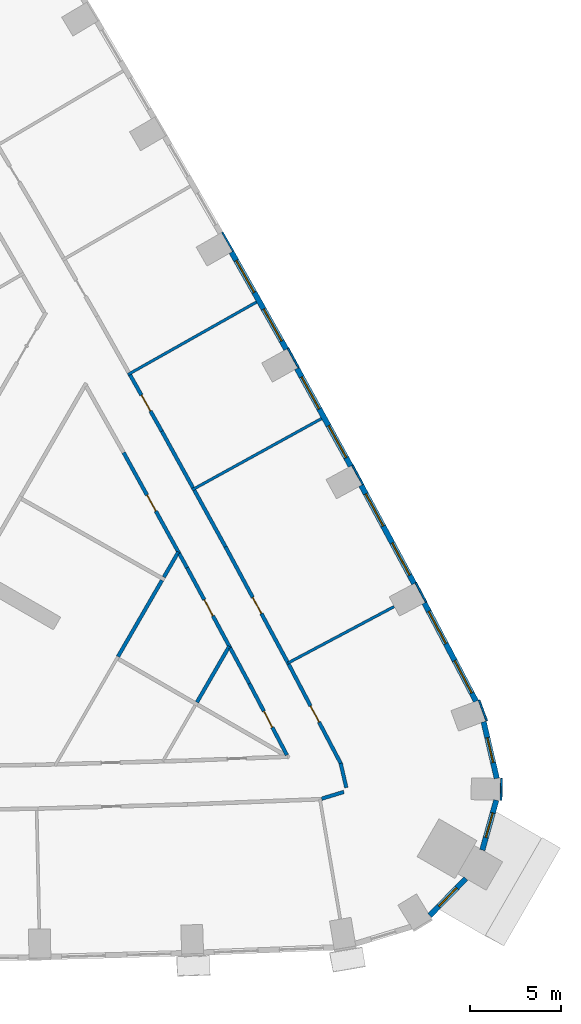
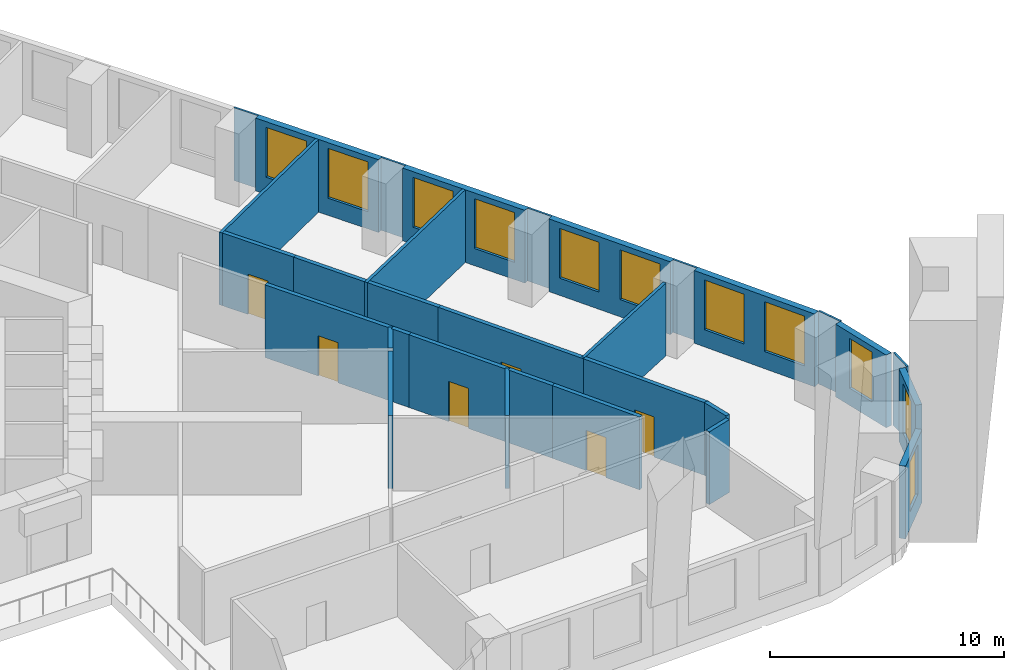
# One storey, part 11 of 15: 31 walls, 11 windows, 6 doors, 17 openings.
"""IFC4 building model written with IfcOpenShell, lengths in metres."""

from ifc_helpers import new_model, si_unit, direction, frame, frame_2d, origin, place, context, subcontext, project, spatial, rectangle, extrude, material, layer, layer_set, type_object, element, fill, save


model = new_model("IFC4")

# Units and contexts
model_context = context("Model", 3, precision=1e-05, world=origin(), true_north=direction((0.0, 1.0)))
body_context = subcontext(model_context, "Body", "Model", "MODEL_VIEW")
ifc_project = project(units=[si_unit("LENGTHUNIT", "METRE"), si_unit("AREAUNIT", "SQUARE_METRE"), si_unit("VOLUMEUNIT", "CUBIC_METRE"), si_unit("PLANEANGLEUNIT", "RADIAN"), si_unit("MASSUNIT", "GRAM", prefix="KILO")], contexts=[model_context])

# Site, building, storey
site_placement = place(None, origin())
site = spatial("IfcSite", under=ifc_project, at=site_placement, CompositionType="ELEMENT")
building_placement = place(site_placement, origin())
building = spatial("IfcBuilding", under=site, at=building_placement, Name="Entoto Arch Interchange Tower", CompositionType="ELEMENT")
storey_placement = place(building_placement, frame((0.0, 0.0, 35.0)))
storey = spatial("IfcBuildingStorey", under=building, at=storey_placement, Name="L06", CompositionType="ELEMENT", Elevation=35.0)

# Walls
ifc_material_1 = material(Name="Gypsum board partition on steel studs", Category="steel")
ifc_layer_1 = layer(ifc_material_1, 0.14990234375)
ifc_layer_set_1 = layer_set([ifc_layer_1], Name="Gypsum board partition on steel studs")
wall_type_1 = type_object("IfcWallType", Name="PARTITION 150", PredefinedType="PARTITIONING", material=ifc_layer_set_1)
wall_1_placement = place(storey_placement, frame((29.763916015625, -12.0400390625, 0.0), z_axis=(0.0, 0.0, 1.0), x_axis=(0.883018657393, 0.469337885426, 0.0)))
element("IfcWall", 1, at=wall_1_placement, inside=storey, type_object=wall_type_1, Name="wall:L06:p128", PredefinedType="PARTITIONING", context=body_context, shape_type="SweptSolid", body=[
    extrude(rectangle(XDim=6.579833984375, YDim=0.14990234375, at=frame_2d((3.2900390625, 0.0))), origin(), (0.0, 0.0, 1.0), 3.800048828125),
])
for number, where, z_axis, x_axis, name in (
    (2, (24.5048828125, -2.552001953125, 0.0), (0.0, 0.0, 1.0), (0.875845276652, 0.482592013369, 0.0), "wall:L06:p129"),
    (3, (20.98291015625, 3.76611328125, 0.0), (0.0, 0.0, 1.0), (0.871022781656, 0.491242622169, 0.0), "wall:L06:p130"),
):
    element("IfcWall", number, at=place(storey_placement, frame(where, z_axis=z_axis, x_axis=x_axis)), inside=storey, type_object=wall_type_1, Name=name, PredefinedType="PARTITIONING", context=body_context, shape_type="SweptSolid", body=[
        extrude(rectangle(XDim=8.099853515625, YDim=0.14990234375, at=frame_2d((4.0498046875, 0.0))), origin(), (0.0, 0.0, 1.0), 3.800048828125),
    ])

# Wall, opening, door
ifc_layer_2 = layer(ifc_material_1, 0.199951171875)
ifc_layer_set_2 = layer_set([ifc_layer_2], Name="Gypsum board partition on steel studs")
wall_type_2 = type_object("IfcWallType", Name="PARTITION 200", PredefinedType="PARTITIONING", material=ifc_layer_set_2)
wall_2_placement = place(storey_placement, frame((23.802978515625, -6.0439453125, 0.0), z_axis=(0.0, 0.0, 1.0), x_axis=(-0.482588436287, 0.875847247619, 0.0)))
wall_2 = element("IfcWall", 4, at=wall_2_placement, inside=storey, type_object=wall_type_2, Name="wall:L06:p016", PredefinedType="PARTITIONING", context=body_context, shape_type="SweptSolid", body=[
    extrude(rectangle(XDim=6.32421875, YDim=0.199951171875, at=frame_2d((3.162109375, 0.0))), origin(), (0.0, 0.0, 1.0), 3.800048828125),
])
opening_1_placement = place(wall_2_placement, frame((2.662109375, 0.0, 0.0)))
opening_1 = element("IfcOpeningElement", 5, at=opening_1_placement, cuts=wall_2, Name="Opening L06-D24", PredefinedType="OPENING", context=body_context, shape_type="SweptSolid", body=[
    extrude(rectangle(XDim=1.0, YDim=2.10009765625, at=frame_2d((0.5, 1.050048828125))), frame((0.0, 0.10986328125, 0.0), z_axis=(0.0, -1.0, 0.0), x_axis=(1.0, 0.0, 0.0)), (0.0, 0.0, 1.0), 0.219970703125),
])
ifc_material_2 = material(Name="Timber door leaf in Steel S235 frame", Category="steel")
door_type = type_object("IfcDoorType", Name="DOOR DS-10 1000x2100", OperationType="SINGLE_SWING_LEFT", PredefinedType="DOOR", material=ifc_material_2)
door_1_placement = place(opening_1_placement, origin())
door_1 = element("IfcDoor", 6, at=door_1_placement, inside=storey, type_object=door_type, Name="door:L06:24", OperationType="SINGLE_SWING_LEFT", OverallHeight=2.10009765625, OverallWidth=1.0, PredefinedType="DOOR", context=body_context, shape_type="SweptSolid", body=[
    extrude(rectangle(XDim=1.0, YDim=2.10009765625, at=frame_2d((0.5, 1.050048828125))), frame((0.0, 0.02490234375, 0.0), z_axis=(0.0, -1.0, 0.0), x_axis=(1.0, 0.0, 0.0)), (0.0, 0.0, 1.0), 0.050048828125),
])
fill(opening_1, door_1)

wall_3_placement = place(storey_placement, frame((26.592041015625, -11.2109375, 0.0), z_axis=(0.0, 0.0, 1.0), x_axis=(-0.473737860011, 0.880665907136, 0.0)))
wall_3 = element("IfcWall", 7, at=wall_3_placement, inside=storey, type_object=wall_type_2, Name="wall:L06:p019", PredefinedType="PARTITIONING", context=body_context, shape_type="SweptSolid", body=[
    extrude(rectangle(XDim=4.988037109375, YDim=0.199951171875, at=frame_2d((2.494140625, 0.0))), origin(), (0.0, 0.0, 1.0), 3.800048828125),
])
opening_2_placement = place(wall_3_placement, frame((1.993896484375, 0.0, 0.0)))
opening_2 = element("IfcOpeningElement", 8, at=opening_2_placement, cuts=wall_3, Name="Opening L06-D26", PredefinedType="OPENING", context=body_context, shape_type="SweptSolid", body=[
    extrude(rectangle(XDim=1.0, YDim=2.10009765625, at=frame_2d((0.5, 1.050048828125))), frame((0.0, 0.10986328125, 0.0), z_axis=(0.0, -1.0, 0.0), x_axis=(1.0, 0.0, 0.0)), (0.0, 0.0, 1.0), 0.219970703125),
])
door_2_placement = place(opening_2_placement, origin())
door_2 = element("IfcDoor", 9, at=door_2_placement, inside=storey, type_object=door_type, Name="door:L06:26", OperationType="SINGLE_SWING_LEFT", OverallHeight=2.10009765625, OverallWidth=1.0, PredefinedType="DOOR", context=body_context, shape_type="SweptSolid", body=[
    extrude(rectangle(XDim=1.0, YDim=2.10009765625, at=frame_2d((0.5, 1.050048828125))), frame((0.0, 0.02490234375, 0.0), z_axis=(0.0, -1.0, 0.0), x_axis=(1.0, 0.0, 0.0)), (0.0, 0.0, 1.0), 0.050048828125),
])
fill(opening_2, door_2)

# Wall
wall_4_placement = place(storey_placement, frame((24.22900390625, -6.818115234375, 0.0), z_axis=(0.0, 0.0, 1.0), x_axis=(-0.482120251302, 0.876105052653, 0.0)))
element("IfcWall", 10, at=wall_4_placement, inside=storey, type_object=wall_type_2, Name="wall:L06:p020", PredefinedType="PARTITIONING", context=body_context, shape_type="SweptSolid", body=[
    extrude(rectangle(XDim=0.883544921875, YDim=0.199951171875, at=frame_2d((0.44189453125, 0.0))), origin(), (0.0, 0.0, 1.0), 3.800048828125),
])

# Wall, opening, door
wall_5_placement = place(storey_placement, frame((29.701904296875, -17.0849609375, 0.0), z_axis=(0.0, 0.0, 1.0), x_axis=(-0.464998228159, 0.88531161057, 0.0)))
wall_5 = element("IfcWall", 11, at=wall_5_placement, inside=storey, type_object=wall_type_2, Name="wall:L06:p023", PredefinedType="PARTITIONING", context=body_context, shape_type="SweptSolid", body=[
    extrude(rectangle(XDim=4.425537109375, YDim=0.199951171875, at=frame_2d((2.212890625, 0.0))), origin(), (0.0, 0.0, 1.0), 3.800048828125),
])
opening_3_placement = place(wall_5_placement, frame((1.712890625, 0.0, 0.0)))
opening_3 = element("IfcOpeningElement", 12, at=opening_3_placement, cuts=wall_5, Name="Opening L06-D28", PredefinedType="OPENING", context=body_context, shape_type="SweptSolid", body=[
    extrude(rectangle(XDim=1.0, YDim=2.10009765625, at=frame_2d((0.5, 1.050048828125))), frame((0.0, 0.10986328125, 0.0), z_axis=(0.0, -1.0, 0.0), x_axis=(1.0, 0.0, 0.0)), (0.0, 0.0, 1.0), 0.219970703125),
])
door_3_placement = place(opening_3_placement, origin())
door_3 = element("IfcDoor", 13, at=door_3_placement, inside=storey, type_object=door_type, Name="door:L06:28", OperationType="SINGLE_SWING_LEFT", OverallHeight=2.10009765625, OverallWidth=1.0, PredefinedType="DOOR", context=body_context, shape_type="SweptSolid", body=[
    extrude(rectangle(XDim=1.0, YDim=2.10009765625, at=frame_2d((0.5, 1.050048828125))), frame((0.0, 0.02490234375, 0.0), z_axis=(0.0, -1.0, 0.0), x_axis=(1.0, 0.0, 0.0)), (0.0, 0.0, 1.0), 0.050048828125),
])
fill(opening_3, door_3)

# Wall
wall_6_placement = place(storey_placement, frame((27.64404296875, -13.1669921875, 0.0), z_axis=(0.0, 0.0, 1.0), x_axis=(-0.473660574093, 0.880707477287, 0.0)))
element("IfcWall", 14, at=wall_6_placement, inside=storey, type_object=wall_type_2, Name="wall:L06:p024", PredefinedType="PARTITIONING", context=body_context, shape_type="SweptSolid", body=[
    extrude(rectangle(XDim=2.220947265625, YDim=0.199951171875, at=frame_2d((1.1103515625, 0.0))), origin(), (0.0, 0.0, 1.0), 3.800048828125),
])

# Wall, opening, door
wall_7_placement = place(storey_placement, frame((29.799072265625, -12.10693359375, 0.0), z_axis=(0.0, 0.0, 1.0), x_axis=(0.464767882002, -0.885432558617, 0.0)))
wall_7 = element("IfcWall", 15, at=wall_7_placement, inside=storey, type_object=wall_type_2, Name="wall:L06:p038", PredefinedType="PARTITIONING", context=body_context, shape_type="SweptSolid", body=[
    extrude(rectangle(XDim=6.233154296875, YDim=0.199951171875, at=frame_2d((3.11669921875, 0.0))), origin(), (0.0, 0.0, 1.0), 3.800048828125),
])
opening_4_placement = place(wall_7_placement, frame((2.580078125, 0.0, 0.0)))
opening_4 = element("IfcOpeningElement", 16, at=opening_4_placement, cuts=wall_7, Name="Opening L06-D03", PredefinedType="OPENING", context=body_context, shape_type="SweptSolid", body=[
    extrude(rectangle(XDim=1.0, YDim=2.10009765625, at=frame_2d((0.5, 1.050048828125))), frame((0.0, 0.10986328125, 0.0), z_axis=(0.0, -1.0, 0.0), x_axis=(1.0, 0.0, 0.0)), (0.0, 0.0, 1.0), 0.219970703125),
])
door_4_placement = place(opening_4_placement, origin())
door_4 = element("IfcDoor", 17, at=door_4_placement, inside=storey, type_object=door_type, Name="door:L06:03", OperationType="SINGLE_SWING_LEFT", OverallHeight=2.10009765625, OverallWidth=1.0, PredefinedType="DOOR", context=body_context, shape_type="SweptSolid", body=[
    extrude(rectangle(XDim=1.0, YDim=2.10009765625, at=frame_2d((0.5, 1.050048828125))), frame((0.0, 0.02490234375, 0.0), z_axis=(0.0, -1.0, 0.0), x_axis=(1.0, 0.0, 0.0)), (0.0, 0.0, 1.0), 0.050048828125),
])
fill(opening_4, door_4)

# Walls
wall_8_placement = place(storey_placement, frame((32.64990234375, -17.5380859375, 0.0), z_axis=(0.0, 0.0, 1.0), x_axis=(0.226081445763, -0.974108402531, 0.0)))
element("IfcWall", 18, at=wall_8_placement, inside=storey, type_object=wall_type_2, Name="wall:L06:p039", PredefinedType="PARTITIONING", context=body_context, shape_type="SweptSolid", body=[
    extrude(rectangle(XDim=1.371337890625, YDim=0.199951171875, at=frame_2d((0.685546875, 0.0))), origin(), (0.0, 0.0, 1.0), 3.800048828125),
])
wall_9_placement = place(storey_placement, frame((32.823974609375, -19.10693359375, 0.0), z_axis=(0.0, 0.0, 1.0), x_axis=(-0.956459113118, -0.291866347723, 0.0)))
element("IfcWall", 19, at=wall_9_placement, inside=storey, type_object=wall_type_2, Name="wall:L06:p040", PredefinedType="PARTITIONING", context=body_context, shape_type="SweptSolid", body=[
    extrude(rectangle(XDim=1.26806640625, YDim=0.199951171875, at=frame_2d((0.634033203125, 0.0))), origin(), (0.0, 0.0, 1.0), 3.800048828125),
])
wall_10_placement = place(storey_placement, frame((24.6279296875, -2.569091796875, 0.0), z_axis=(0.0, 0.0, 1.0), x_axis=(0.482566980384, -0.875859069396, 0.0)))
element("IfcWall", 20, at=wall_10_placement, inside=storey, type_object=wall_type_2, Name="wall:L06:p041", PredefinedType="PARTITIONING", context=body_context, shape_type="SweptSolid", body=[
    extrude(rectangle(XDim=3.54150390625, YDim=0.199951171875, at=frame_2d((1.770751953125, 0.0))), origin(), (0.0, 0.0, 1.0), 3.800048828125),
])

# Wall, opening, door
wall_11_placement = place(storey_placement, frame((26.3369140625, -5.6708984375, 0.0), z_axis=(0.0, 0.0, 1.0), x_axis=(0.473794961698, -0.880635187958, 0.0)))
wall_11 = element("IfcWall", 21, at=wall_11_placement, inside=storey, type_object=wall_type_2, Name="wall:L06:p042", PredefinedType="PARTITIONING", context=body_context, shape_type="SweptSolid", body=[
    extrude(rectangle(XDim=7.307373046875, YDim=0.199951171875, at=frame_2d((3.65380859375, 0.0))), origin(), (0.0, 0.0, 1.0), 3.800048828125),
])
opening_5_placement = place(wall_11_placement, frame((3.154052734375, 0.0, 0.0)))
opening_5 = element("IfcOpeningElement", 22, at=opening_5_placement, cuts=wall_11, Name="Opening L06-D04", PredefinedType="OPENING", context=body_context, shape_type="SweptSolid", body=[
    extrude(rectangle(XDim=1.0, YDim=2.10009765625, at=frame_2d((0.5, 1.050048828125))), frame((0.0, 0.10986328125, 0.0), z_axis=(0.0, -1.0, 0.0), x_axis=(1.0, 0.0, 0.0)), (0.0, 0.0, 1.0), 0.219970703125),
])
door_5_placement = place(opening_5_placement, origin())
door_5 = element("IfcDoor", 23, at=door_5_placement, inside=storey, type_object=door_type, Name="door:L06:04", OperationType="SINGLE_SWING_LEFT", OverallHeight=2.10009765625, OverallWidth=1.0, PredefinedType="DOOR", context=body_context, shape_type="SweptSolid", body=[
    extrude(rectangle(XDim=1.0, YDim=2.10009765625, at=frame_2d((0.5, 1.050048828125))), frame((0.0, 0.02490234375, 0.0), z_axis=(0.0, -1.0, 0.0), x_axis=(1.0, 0.0, 0.0)), (0.0, 0.0, 1.0), 0.050048828125),
])
fill(opening_5, door_5)

wall_12_placement = place(storey_placement, frame((21.10693359375, 3.7490234375, 0.0), z_axis=(0.0, 0.0, 1.0), x_axis=(0.491268894998, -0.871007963687, 0.0)))
wall_12 = element("IfcWall", 24, at=wall_12_placement, inside=storey, type_object=wall_type_2, Name="wall:L06:p043", PredefinedType="PARTITIONING", context=body_context, shape_type="SweptSolid", body=[
    extrude(rectangle(XDim=3.541748046875, YDim=0.199951171875, at=frame_2d((1.77099609375, 0.0))), origin(), (0.0, 0.0, 1.0), 3.800048828125),
])
opening_6_placement = place(wall_12_placement, frame((1.27099609375, 0.0, 0.0)))
opening_6 = element("IfcOpeningElement", 25, at=opening_6_placement, cuts=wall_12, Name="Opening L06-D05", PredefinedType="OPENING", context=body_context, shape_type="SweptSolid", body=[
    extrude(rectangle(XDim=1.0, YDim=2.10009765625, at=frame_2d((0.5, 1.050048828125))), frame((0.0, 0.10986328125, 0.0), z_axis=(0.0, -1.0, 0.0), x_axis=(1.0, 0.0, 0.0)), (0.0, 0.0, 1.0), 0.219970703125),
])
door_6_placement = place(opening_6_placement, origin())
door_6 = element("IfcDoor", 26, at=door_6_placement, inside=storey, type_object=door_type, Name="door:L06:05", OperationType="SINGLE_SWING_LEFT", OverallHeight=2.10009765625, OverallWidth=1.0, PredefinedType="DOOR", context=body_context, shape_type="SweptSolid", body=[
    extrude(rectangle(XDim=1.0, YDim=2.10009765625, at=frame_2d((0.5, 1.050048828125))), frame((0.0, 0.02490234375, 0.0), z_axis=(0.0, -1.0, 0.0), x_axis=(1.0, 0.0, 0.0)), (0.0, 0.0, 1.0), 0.050048828125),
])
fill(opening_6, door_6)

# Walls
wall_13_placement = place(storey_placement, frame((22.846923828125, 0.6640625, 0.0), z_axis=(0.0, 0.0, 1.0), x_axis=(0.482537844436, -0.875875121628, 0.0)))
element("IfcWall", 27, at=wall_13_placement, inside=storey, type_object=wall_type_2, Name="wall:L06:p044", PredefinedType="PARTITIONING", context=body_context, shape_type="SweptSolid", body=[
    extrude(rectangle(XDim=3.541748046875, YDim=0.199951171875, at=frame_2d((1.77099609375, 0.0))), origin(), (0.0, 0.0, 1.0), 3.800048828125),
])
wall_14_placement = place(storey_placement, frame((22.85693359375, -7.510009765625, 0.0), z_axis=(0.0, 0.0, 1.0), x_axis=(-0.499954636112, -0.866051593054, 0.0)))
element("IfcWall", 28, at=wall_14_placement, inside=storey, type_object=wall_type_2, Name="wall:L06:p115", PredefinedType="PARTITIONING", context=body_context, shape_type="SweptSolid", body=[
    extrude(rectangle(XDim=4.82421875, YDim=0.199951171875, at=frame_2d((2.412109375, 0.0))), origin(), (0.0, 0.0, 1.0), 3.800048828125),
])
wall_15_placement = place(storey_placement, frame((23.75390625, -5.9560546875, 0.0), z_axis=(0.0, 0.0, 1.0), x_axis=(-0.500093796661, -0.865971243484, 0.0)))
element("IfcWall", 29, at=wall_15_placement, inside=storey, type_object=wall_type_2, Name="wall:L06:p116", PredefinedType="PARTITIONING", context=body_context, shape_type="SweptSolid", body=[
    extrude(rectangle(XDim=1.593505859375, YDim=0.199951171875, at=frame_2d((0.796875, 0.0))), origin(), (0.0, 0.0, 1.0), 3.800048828125),
])
wall_16_placement = place(storey_placement, frame((26.544921875, -11.123046875, 0.0), z_axis=(0.0, 0.0, 1.0), x_axis=(-0.500100605862, -0.865967311171, 0.0)))
element("IfcWall", 30, at=wall_16_placement, inside=storey, type_object=wall_type_2, Name="wall:L06:p119", PredefinedType="PARTITIONING", context=body_context, shape_type="SweptSolid", body=[
    extrude(rectangle(XDim=3.539306640625, YDim=0.199951171875, at=frame_2d((1.76953125, 0.0))), origin(), (0.0, 0.0, 1.0), 3.800048828125),
])

# Wall, opening, window
ifc_material_3 = material(Name="Welded tuff (ignimbrite) cladding, warm buff", Category="masonry")
ifc_layer_3 = layer(ifc_material_3, 0.300048828125)
ifc_layer_set_3 = layer_set([ifc_layer_3], Name="Welded tuff (ignimbrite) cladding, warm buff")
wall_type_3 = type_object("IfcWallType", Name="STONE INFILL WALL 300", PredefinedType="STANDARD", material=ifc_layer_set_3)
wall_17_placement = place(storey_placement, frame((37.531005859375, -25.883056640625, 0.0), z_axis=(0.0, 0.0, 1.0), x_axis=(0.699151821451, 0.714973237654, 0.0)))
wall_17 = element("IfcWall", 31, at=wall_17_placement, inside=storey, type_object=wall_type_3, Name="Facade wall SE-02 L06", PredefinedType="STANDARD", context=body_context, shape_type="SweptSolid", body=[
    extrude(rectangle(XDim=2.83935546875, YDim=0.300048828125, at=frame_2d((1.419677734375, 0.0))), origin(), (0.0, 0.0, 1.0), 3.800048828125),
])
opening_7_placement = place(wall_17_placement, frame((0.719970703125, 0.0, 0.89990234375)))
opening_7 = element("IfcOpeningElement", 32, at=opening_7_placement, cuts=wall_17, Name="Opening WO-B", PredefinedType="OPENING", context=body_context, shape_type="SweptSolid", body=[
    extrude(rectangle(XDim=1.39990234375, YDim=2.60009765625, at=frame_2d((0.699951171875, 1.300048828125))), frame((0.0, 0.16015625, 0.0), z_axis=(0.0, -1.0, 0.0), x_axis=(1.0, 0.0, 0.0)), (0.0, 0.0, 1.0), 0.320068359375),
])
ifc_material_4 = material(Name="Clear glass, low-e double glazed", Category="glass")
window_type_1 = type_object("IfcWindowType", Name="WINDOW WO-B 1400x2600", PartitioningType="DOUBLE_PANEL_VERTICAL", PredefinedType="WINDOW", material=ifc_material_4)
window_1_placement = place(opening_7_placement, origin())
window_1 = element("IfcWindow", 33, at=window_1_placement, inside=storey, type_object=window_type_1, Name="Window WO-B SE-02 L06", OverallHeight=2.60009765625, OverallWidth=1.39990234375, PartitioningType="SINGLE_PANEL", PredefinedType="WINDOW", context=body_context, shape_type="SweptSolid", body=[
    extrude(rectangle(XDim=1.39990234375, YDim=2.60009765625, at=frame_2d((0.699951171875, 1.300048828125))), frame((0.0, 0.030029296875, 0.0), z_axis=(0.0, -1.0, 0.0), x_axis=(1.0, 0.0, 0.0)), (0.0, 0.0, 1.0), 0.06005859375),
])
fill(opening_7, window_1)

wall_18_placement = place(storey_placement, frame((40.4150390625, -22.2958984375, 0.0), z_axis=(0.0, 0.0, 1.0), x_axis=(0.269754317033, 0.962929181426, 0.0)))
wall_18 = element("IfcWall", 34, at=wall_18_placement, inside=storey, type_object=wall_type_3, Name="Facade wall SE-03 L06", PredefinedType="STANDARD", context=body_context, shape_type="SweptSolid", body=[
    extrude(rectangle(XDim=2.839111328125, YDim=0.300048828125, at=frame_2d((1.41943359375, 0.0))), origin(), (0.0, 0.0, 1.0), 3.800048828125),
])
opening_8_placement = place(wall_18_placement, frame((0.719970703125, 0.0, 0.89990234375)))
opening_8 = element("IfcOpeningElement", 35, at=opening_8_placement, cuts=wall_18, Name="Opening WO-B", PredefinedType="OPENING", context=body_context, shape_type="SweptSolid", body=[
    extrude(rectangle(XDim=1.39990234375, YDim=2.60009765625, at=frame_2d((0.699951171875, 1.300048828125))), frame((0.0, 0.16015625, 0.0), z_axis=(0.0, -1.0, 0.0), x_axis=(1.0, 0.0, 0.0)), (0.0, 0.0, 1.0), 0.320068359375),
])
window_2_placement = place(opening_8_placement, origin())
window_2 = element("IfcWindow", 36, at=window_2_placement, inside=storey, type_object=window_type_1, Name="Window WO-B SE-03 L06", OverallHeight=2.60009765625, OverallWidth=1.39990234375, PartitioningType="SINGLE_PANEL", PredefinedType="WINDOW", context=body_context, shape_type="SweptSolid", body=[
    extrude(rectangle(XDim=1.39990234375, YDim=2.60009765625, at=frame_2d((0.699951171875, 1.300048828125))), frame((0.0, 0.030029296875, 0.0), z_axis=(0.0, -1.0, 0.0), x_axis=(1.0, 0.0, 0.0)), (0.0, 0.0, 1.0), 0.06005859375),
])
fill(opening_8, window_2)

wall_19_placement = place(storey_placement, frame((41.2080078125, -18.364013671875, 0.0), z_axis=(0.0, 0.0, 1.0), x_axis=(-0.225929520451, 0.974143650489, 0.0)))
wall_19 = element("IfcWall", 37, at=wall_19_placement, inside=storey, type_object=wall_type_3, Name="Facade wall SE-04 L06", PredefinedType="STANDARD", context=body_context, shape_type="SweptSolid", body=[
    extrude(rectangle(XDim=3.182373046875, YDim=0.300048828125, at=frame_2d((1.59130859375, 0.0))), origin(), (0.0, 0.0, 1.0), 3.800048828125),
])
opening_9_placement = place(wall_19_placement, frame((0.89111328125, 0.0, 0.89990234375)))
opening_9 = element("IfcOpeningElement", 38, at=opening_9_placement, cuts=wall_19, Name="Opening WO-B", PredefinedType="OPENING", context=body_context, shape_type="SweptSolid", body=[
    extrude(rectangle(XDim=1.39990234375, YDim=2.60009765625, at=frame_2d((0.699951171875, 1.300048828125))), frame((0.0, 0.16015625, 0.0), z_axis=(0.0, -1.0, 0.0), x_axis=(1.0, 0.0, 0.0)), (0.0, 0.0, 1.0), 0.320068359375),
])
window_3_placement = place(opening_9_placement, origin())
window_3 = element("IfcWindow", 39, at=window_3_placement, inside=storey, type_object=window_type_1, Name="Window WO-B SE-04 L06", OverallHeight=2.60009765625, OverallWidth=1.39990234375, PartitioningType="SINGLE_PANEL", PredefinedType="WINDOW", context=body_context, shape_type="SweptSolid", body=[
    extrude(rectangle(XDim=1.39990234375, YDim=2.60009765625, at=frame_2d((0.699951171875, 1.300048828125))), frame((0.0, 0.030029296875, 0.0), z_axis=(0.0, -1.0, 0.0), x_axis=(1.0, 0.0, 0.0)), (0.0, 0.0, 1.0), 0.06005859375),
])
fill(opening_9, window_3)

# Wall, openings, windows
wall_20_placement = place(storey_placement, frame((40.072021484375, -14.14111328125, 0.0), z_axis=(0.0, 0.0, 1.0), x_axis=(-0.464913987781, 0.885355851602, 0.0)))
wall_20 = element("IfcWall", 40, at=wall_20_placement, inside=storey, type_object=wall_type_3, Name="Facade wall NE-01 L06", PredefinedType="STANDARD", context=body_context, shape_type="SweptSolid", body=[
    extrude(rectangle(XDim=6.093505859375, YDim=0.300048828125, at=frame_2d((3.046875, 0.0))), origin(), (0.0, 0.0, 1.0), 3.800048828125),
])
opening_10_placement = place(wall_20_placement, frame((0.52294921875, 0.0, 0.89990234375)))
opening_10 = element("IfcOpeningElement", 41, at=opening_10_placement, cuts=wall_20, Name="Opening WO-C", PredefinedType="OPENING", context=body_context, shape_type="SweptSolid", body=[
    extrude(rectangle(XDim=2.0, YDim=2.60009765625, at=frame_2d((1.0, 1.300048828125))), frame((0.0, 0.16015625, 0.0), z_axis=(0.0, -1.0, 0.0), x_axis=(1.0, 0.0, 0.0)), (0.0, 0.0, 1.0), 0.320068359375),
])
opening_11_placement = place(wall_20_placement, frame((3.570068359375, 0.0, 0.89990234375)))
opening_11 = element("IfcOpeningElement", 42, at=opening_11_placement, cuts=wall_20, Name="Opening WO-C", PredefinedType="OPENING", context=body_context, shape_type="SweptSolid", body=[
    extrude(rectangle(XDim=2.0, YDim=2.60009765625, at=frame_2d((1.0, 1.300048828125))), frame((0.0, 0.16015625, 0.0), z_axis=(0.0, -1.0, 0.0), x_axis=(1.0, 0.0, 0.0)), (0.0, 0.0, 1.0), 0.320068359375),
])
window_type_2 = type_object("IfcWindowType", Name="WINDOW WO-C 2000x2600", PartitioningType="DOUBLE_PANEL_VERTICAL", PredefinedType="WINDOW", material=ifc_material_4)
window_4_placement = place(opening_10_placement, origin())
window_4 = element("IfcWindow", 43, at=window_4_placement, inside=storey, type_object=window_type_2, Name="Window WO-C NE-01 L06", OverallHeight=2.60009765625, OverallWidth=2.0, PartitioningType="SINGLE_PANEL", PredefinedType="WINDOW", context=body_context, shape_type="SweptSolid", body=[
    extrude(rectangle(XDim=2.0, YDim=2.60009765625, at=frame_2d((1.0, 1.300048828125))), frame((0.0, 0.030029296875, 0.0), z_axis=(0.0, -1.0, 0.0), x_axis=(1.0, 0.0, 0.0)), (0.0, 0.0, 1.0), 0.06005859375),
])
fill(opening_10, window_4)
window_5_placement = place(opening_11_placement, origin())
window_5 = element("IfcWindow", 44, at=window_5_placement, inside=storey, type_object=window_type_2, Name="Window WO-C NE-01 L06", OverallHeight=2.60009765625, OverallWidth=2.0, PartitioningType="SINGLE_PANEL", PredefinedType="WINDOW", context=body_context, shape_type="SweptSolid", body=[
    extrude(rectangle(XDim=2.0, YDim=2.60009765625, at=frame_2d((1.0, 1.300048828125))), frame((0.0, 0.030029296875, 0.0), z_axis=(0.0, -1.0, 0.0), x_axis=(1.0, 0.0, 0.0)), (0.0, 0.0, 1.0), 0.06005859375),
])
fill(opening_11, window_5)

wall_21_placement = place(storey_placement, frame((36.677001953125, -7.68798828125, 0.0), z_axis=(0.0, 0.0, 1.0), x_axis=(-0.47375467653, 0.880656860795, 0.0)))
wall_21 = element("IfcWall", 45, at=wall_21_placement, inside=storey, type_object=wall_type_3, Name="Facade wall NE-02 L06", PredefinedType="STANDARD", context=body_context, shape_type="SweptSolid", body=[
    extrude(rectangle(XDim=6.116943359375, YDim=0.300048828125, at=frame_2d((3.05859375, 0.0))), origin(), (0.0, 0.0, 1.0), 3.800048828125),
])
opening_12_placement = place(wall_21_placement, frame((0.529052734375, 0.0, 0.89990234375)))
opening_12 = element("IfcOpeningElement", 46, at=opening_12_placement, cuts=wall_21, Name="Opening WO-C", PredefinedType="OPENING", context=body_context, shape_type="SweptSolid", body=[
    extrude(rectangle(XDim=2.0, YDim=2.60009765625, at=frame_2d((1.0, 1.300048828125))), frame((0.0, 0.16015625, 0.0), z_axis=(0.0, -1.0, 0.0), x_axis=(1.0, 0.0, 0.0)), (0.0, 0.0, 1.0), 0.320068359375),
])
opening_13_placement = place(wall_21_placement, frame((3.587890625, 0.0, 0.89990234375)))
opening_13 = element("IfcOpeningElement", 47, at=opening_13_placement, cuts=wall_21, Name="Opening WO-C", PredefinedType="OPENING", context=body_context, shape_type="SweptSolid", body=[
    extrude(rectangle(XDim=2.0, YDim=2.60009765625, at=frame_2d((1.0, 1.300048828125))), frame((0.0, 0.16015625, 0.0), z_axis=(0.0, -1.0, 0.0), x_axis=(1.0, 0.0, 0.0)), (0.0, 0.0, 1.0), 0.320068359375),
])
window_6_placement = place(opening_12_placement, origin())
window_6 = element("IfcWindow", 48, at=window_6_placement, inside=storey, type_object=window_type_2, Name="Window WO-C NE-02 L06", OverallHeight=2.60009765625, OverallWidth=2.0, PartitioningType="SINGLE_PANEL", PredefinedType="WINDOW", context=body_context, shape_type="SweptSolid", body=[
    extrude(rectangle(XDim=2.0, YDim=2.60009765625, at=frame_2d((1.0, 1.300048828125))), frame((0.0, 0.030029296875, 0.0), z_axis=(0.0, -1.0, 0.0), x_axis=(1.0, 0.0, 0.0)), (0.0, 0.0, 1.0), 0.06005859375),
])
fill(opening_12, window_6)
window_7_placement = place(opening_13_placement, origin())
window_7 = element("IfcWindow", 49, at=window_7_placement, inside=storey, type_object=window_type_2, Name="Window WO-C NE-02 L06", OverallHeight=2.60009765625, OverallWidth=2.0, PartitioningType="SINGLE_PANEL", PredefinedType="WINDOW", context=body_context, shape_type="SweptSolid", body=[
    extrude(rectangle(XDim=2.0, YDim=2.60009765625, at=frame_2d((1.0, 1.300048828125))), frame((0.0, 0.030029296875, 0.0), z_axis=(0.0, -1.0, 0.0), x_axis=(1.0, 0.0, 0.0)), (0.0, 0.0, 1.0), 0.06005859375),
])
fill(opening_13, window_7)

wall_22_placement = place(storey_placement, frame((33.2060546875, -1.2490234375, 0.0), z_axis=(0.0, 0.0, 1.0), x_axis=(-0.482596003603, 0.875843078015, 0.0)))
wall_22 = element("IfcWall", 50, at=wall_22_placement, inside=storey, type_object=wall_type_3, Name="Facade wall NE-03 L06", PredefinedType="STANDARD", context=body_context, shape_type="SweptSolid", body=[
    extrude(rectangle(XDim=6.115234375, YDim=0.300048828125, at=frame_2d((3.0576171875, 0.0))), origin(), (0.0, 0.0, 1.0), 3.800048828125),
])
opening_14_placement = place(wall_22_placement, frame((0.529052734375, 0.0, 0.89990234375)))
opening_14 = element("IfcOpeningElement", 51, at=opening_14_placement, cuts=wall_22, Name="Opening WO-C", PredefinedType="OPENING", context=body_context, shape_type="SweptSolid", body=[
    extrude(rectangle(XDim=2.0, YDim=2.60009765625, at=frame_2d((1.0, 1.300048828125))), frame((0.0, 0.16015625, 0.0), z_axis=(0.0, -1.0, 0.0), x_axis=(1.0, 0.0, 0.0)), (0.0, 0.0, 1.0), 0.320068359375),
])
opening_15_placement = place(wall_22_placement, frame((3.5859375, 0.0, 0.89990234375)))
opening_15 = element("IfcOpeningElement", 52, at=opening_15_placement, cuts=wall_22, Name="Opening WO-C", PredefinedType="OPENING", context=body_context, shape_type="SweptSolid", body=[
    extrude(rectangle(XDim=2.0, YDim=2.60009765625, at=frame_2d((1.0, 1.300048828125))), frame((0.0, 0.16015625, 0.0), z_axis=(0.0, -1.0, 0.0), x_axis=(1.0, 0.0, 0.0)), (0.0, 0.0, 1.0), 0.320068359375),
])
window_8_placement = place(opening_14_placement, origin())
window_8 = element("IfcWindow", 53, at=window_8_placement, inside=storey, type_object=window_type_2, Name="Window WO-C NE-03 L06", OverallHeight=2.60009765625, OverallWidth=2.0, PartitioningType="SINGLE_PANEL", PredefinedType="WINDOW", context=body_context, shape_type="SweptSolid", body=[
    extrude(rectangle(XDim=2.0, YDim=2.60009765625, at=frame_2d((1.0, 1.300048828125))), frame((0.0, 0.030029296875, 0.0), z_axis=(0.0, -1.0, 0.0), x_axis=(1.0, 0.0, 0.0)), (0.0, 0.0, 1.0), 0.06005859375),
])
fill(opening_14, window_8)
window_9_placement = place(opening_15_placement, origin())
window_9 = element("IfcWindow", 54, at=window_9_placement, inside=storey, type_object=window_type_2, Name="Window WO-C NE-03 L06", OverallHeight=2.60009765625, OverallWidth=2.0, PartitioningType="SINGLE_PANEL", PredefinedType="WINDOW", context=body_context, shape_type="SweptSolid", body=[
    extrude(rectangle(XDim=2.0, YDim=2.60009765625, at=frame_2d((1.0, 1.300048828125))), frame((0.0, 0.030029296875, 0.0), z_axis=(0.0, -1.0, 0.0), x_axis=(1.0, 0.0, 0.0)), (0.0, 0.0, 1.0), 0.06005859375),
])
fill(opening_15, window_9)

wall_23_placement = place(storey_placement, frame((29.672119140625, 5.154052734375, 0.0), z_axis=(0.0, 0.0, 1.0), x_axis=(-0.491278487323, 0.871002553322, 0.0)))
wall_23 = element("IfcWall", 55, at=wall_23_placement, inside=storey, type_object=wall_type_3, Name="Facade wall NE-04 L06", PredefinedType="STANDARD", context=body_context, shape_type="SweptSolid", body=[
    extrude(rectangle(XDim=6.116943359375, YDim=0.300048828125, at=frame_2d((3.05859375, 0.0))), origin(), (0.0, 0.0, 1.0), 3.800048828125),
])
opening_16_placement = place(wall_23_placement, frame((0.529052734375, 0.0, 0.89990234375)))
opening_16 = element("IfcOpeningElement", 56, at=opening_16_placement, cuts=wall_23, Name="Opening WO-C", PredefinedType="OPENING", context=body_context, shape_type="SweptSolid", body=[
    extrude(rectangle(XDim=2.0, YDim=2.60009765625, at=frame_2d((1.0, 1.300048828125))), frame((0.0, 0.16015625, 0.0), z_axis=(0.0, -1.0, 0.0), x_axis=(1.0, 0.0, 0.0)), (0.0, 0.0, 1.0), 0.320068359375),
])
opening_17_placement = place(wall_23_placement, frame((3.587890625, 0.0, 0.89990234375)))
opening_17 = element("IfcOpeningElement", 57, at=opening_17_placement, cuts=wall_23, Name="Opening WO-C", PredefinedType="OPENING", context=body_context, shape_type="SweptSolid", body=[
    extrude(rectangle(XDim=2.0, YDim=2.60009765625, at=frame_2d((1.0, 1.300048828125))), frame((0.0, 0.16015625, 0.0), z_axis=(0.0, -1.0, 0.0), x_axis=(1.0, 0.0, 0.0)), (0.0, 0.0, 1.0), 0.320068359375),
])
window_10_placement = place(opening_16_placement, origin())
window_10 = element("IfcWindow", 58, at=window_10_placement, inside=storey, type_object=window_type_2, Name="Window WO-C NE-04 L06", OverallHeight=2.60009765625, OverallWidth=2.0, PartitioningType="SINGLE_PANEL", PredefinedType="WINDOW", context=body_context, shape_type="SweptSolid", body=[
    extrude(rectangle(XDim=2.0, YDim=2.60009765625, at=frame_2d((1.0, 1.300048828125))), frame((0.0, 0.030029296875, 0.0), z_axis=(0.0, -1.0, 0.0), x_axis=(1.0, 0.0, 0.0)), (0.0, 0.0, 1.0), 0.06005859375),
])
fill(opening_16, window_10)
window_11_placement = place(opening_17_placement, origin())
window_11 = element("IfcWindow", 59, at=window_11_placement, inside=storey, type_object=window_type_2, Name="Window WO-C NE-04 L06", OverallHeight=2.60009765625, OverallWidth=2.0, PartitioningType="SINGLE_PANEL", PredefinedType="WINDOW", context=body_context, shape_type="SweptSolid", body=[
    extrude(rectangle(XDim=2.0, YDim=2.60009765625, at=frame_2d((1.0, 1.300048828125))), frame((0.0, 0.030029296875, 0.0), z_axis=(0.0, -1.0, 0.0), x_axis=(1.0, 0.0, 0.0)), (0.0, 0.0, 1.0), 0.06005859375),
])
fill(opening_17, window_11)

# Walls
ifc_layer_4 = layer(ifc_material_3, 0.10009765625)
ifc_layer_set_4 = layer_set([ifc_layer_4], Name="Welded tuff (ignimbrite) cladding, warm buff")
wall_type_4 = type_object("IfcWallType", Name="STONE PIER CLADDING 100", PredefinedType="STANDARD", material=ifc_layer_set_4)
wall_24_placement = place(storey_placement, frame((40.656005859375, -15.202880859375, 0.0), z_axis=(0.0, 0.0, 1.0), x_axis=(-0.348268249601, 0.937394914814, 0.0)))
element("IfcWall", 60, at=wall_24_placement, inside=storey, type_object=wall_type_4, Name="Stone pier NE01 L06", PredefinedType="STANDARD", context=body_context, shape_type="SweptSolid", body=[
    extrude(rectangle(XDim=1.2001953125, YDim=0.10009765625, at=frame_2d((0.60009765625, 0.0))), origin(), (0.0, 0.0, 1.0), 3.800048828125),
])
wall_25_placement = place(storey_placement, frame((37.330078125, -8.697998046875, 0.0), z_axis=(0.0, 0.0, 1.0), x_axis=(-0.469383408131, 0.882994459876, 0.0)))
element("IfcWall", 61, at=wall_25_placement, inside=storey, type_object=wall_type_4, Name="Stone pier NE02 L06", PredefinedType="STANDARD", context=body_context, shape_type="SweptSolid", body=[
    extrude(rectangle(XDim=1.199462890625, YDim=0.10009765625, at=frame_2d((0.599609375, 0.0))), origin(), (0.0, 0.0, 1.0), 3.800048828125),
])
wall_26_placement = place(storey_placement, frame((33.8701171875, -2.2529296875, 0.0), z_axis=(0.0, 0.0, 1.0), x_axis=(-0.478424520456, 0.878128679765, 0.0)))
element("IfcWall", 62, at=wall_26_placement, inside=storey, type_object=wall_type_4, Name="Stone pier NE03 L06", PredefinedType="STANDARD", context=body_context, shape_type="SweptSolid", body=[
    extrude(rectangle(XDim=1.2001953125, YDim=0.10009765625, at=frame_2d((0.60009765625, 0.0))), origin(), (0.0, 0.0, 1.0), 3.800048828125),
])
wall_27_placement = place(storey_placement, frame((30.344970703125, 4.156982421875, 0.0), z_axis=(0.0, 0.0, 1.0), x_axis=(-0.486730996044, 0.87355190887, 0.0)))
element("IfcWall", 63, at=wall_27_placement, inside=storey, type_object=wall_type_4, Name="Stone pier NE04 L06", PredefinedType="STANDARD", context=body_context, shape_type="SweptSolid", body=[
    extrude(rectangle(XDim=1.19970703125, YDim=0.10009765625, at=frame_2d((0.599853515625, 0.0))), origin(), (0.0, 0.0, 1.0), 3.800048828125),
])
wall_28_placement = place(storey_placement, frame((26.757080078125, 10.531982421875, 0.0), z_axis=(0.0, 0.0, 1.0), x_axis=(-0.495854054996, 0.868405870629, 0.0)))
element("IfcWall", 64, at=wall_28_placement, inside=storey, type_object=wall_type_4, Name="Stone pier NE05 L06", PredefinedType="STANDARD", context=body_context, shape_type="SweptSolid", body=[
    extrude(rectangle(XDim=1.199951171875, YDim=0.10009765625, at=frame_2d((0.60009765625, 0.0))), origin(), (0.0, 0.0, 1.0), 3.800048828125),
])
wall_29_placement = place(storey_placement, frame((41.43896484375, -19.569091796875, 0.0), z_axis=(0.0, 0.0, 1.0), x_axis=(0.02338660436, 0.999726495966, 0.0)))
element("IfcWall", 65, at=wall_29_placement, inside=storey, type_object=wall_type_4, Name="Stone pier SE3 L06", PredefinedType="STANDARD", context=body_context, shape_type="SweptSolid", body=[
    extrude(rectangle(XDim=1.200439453125, YDim=0.10009765625, at=frame_2d((0.60009765625, 0.0))), origin(), (0.0, 0.0, 1.0), 3.800048828125),
])

save(model, "model.ifc")
